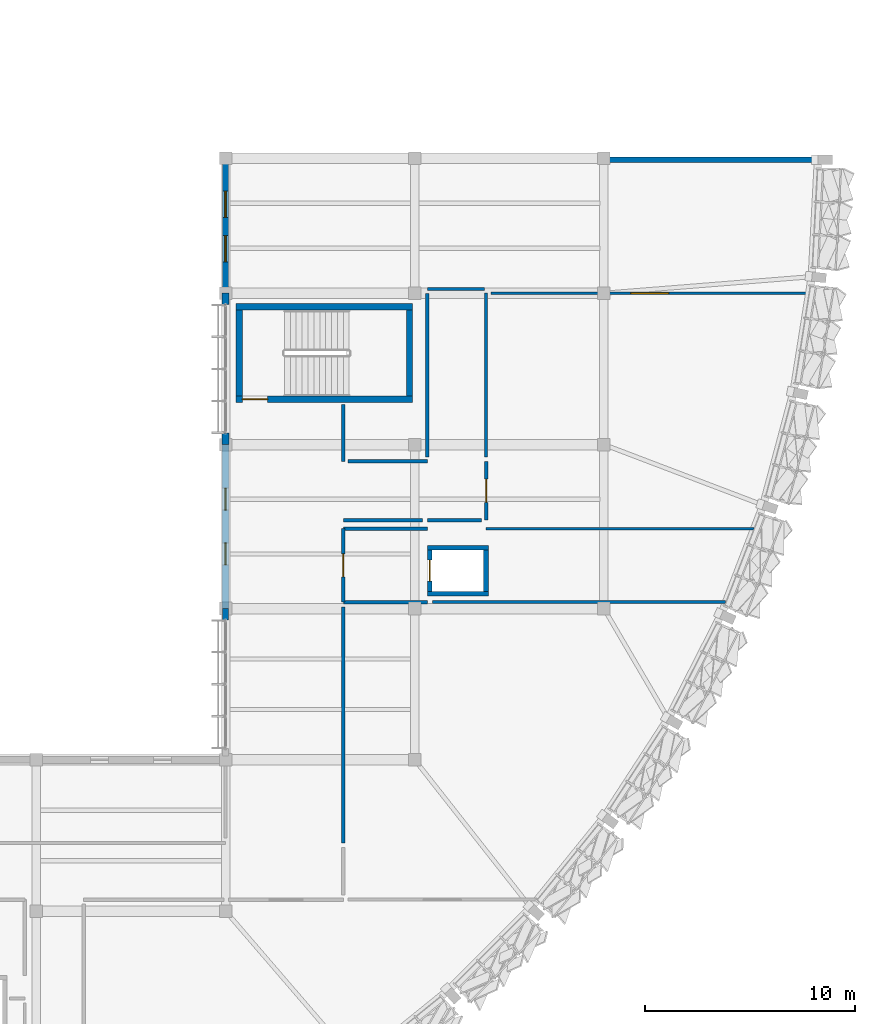
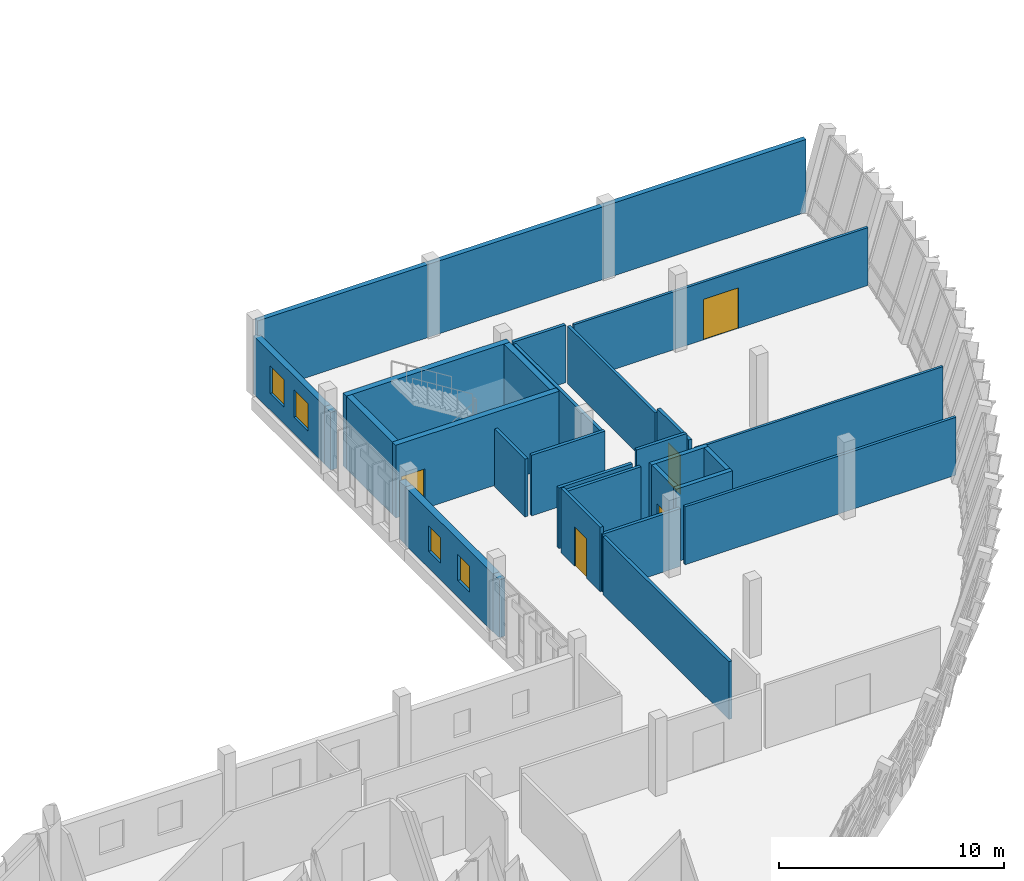
# One storey, part 97 of 107: 29 walls, 5 doors, 4 windows, 9 openings.
"""IFC4 building model written with IfcOpenShell, lengths in metres."""

from ifc_helpers import new_model, si_unit, direction, frame, frame_2d, origin, place, context, subcontext, project, spatial, rectangle, extrude, material, layer, layer_set, type_object, element, fill, save


model = new_model("IFC4")

# Units and contexts
model_context = context("Model", 3, precision=1e-05, world=origin(), true_north=direction((0.0, 1.0)))
body_context = subcontext(model_context, "Body", "Model", "MODEL_VIEW")
ifc_project = project(units=[si_unit("LENGTHUNIT", "METRE"), si_unit("AREAUNIT", "SQUARE_METRE"), si_unit("VOLUMEUNIT", "CUBIC_METRE"), si_unit("PLANEANGLEUNIT", "RADIAN"), si_unit("MASSUNIT", "GRAM", prefix="KILO")], contexts=[model_context])

# Site, building, storey
site_placement = place(None, origin())
site = spatial("IfcSite", under=ifc_project, at=site_placement, CompositionType="ELEMENT")
building_placement = place(site_placement, origin())
building = spatial("IfcBuilding", under=site, at=building_placement, Name="Chiffa Square Polytechnic", CompositionType="ELEMENT")
storey_placement = place(building_placement, frame((0.0, 0.0, 13.800048828125)))
storey = spatial("IfcBuildingStorey", under=building, at=storey_placement, Name="L03", CompositionType="ELEMENT", Elevation=13.800048828125)

# Wall, opening, door
ifc_material_1 = material(Name="Concrete C40/50", Category="concrete")
ifc_layer_1 = layer(ifc_material_1, 0.300048828125, Name="Concrete C40/50")
ifc_layer_set_1 = layer_set([ifc_layer_1], Name="Concrete C40/50")
wall_type_1 = type_object("IfcWallType", Name="WL-CORE-300", PredefinedType="SHEAR", material=ifc_layer_set_1)
wall_1_placement = place(storey_placement, frame((148.699951171875, 45.949951171875, 0.0), z_axis=(0.0, 0.0, 1.0), x_axis=(1.0, 0.0, 0.0)))
wall_1 = element("IfcWall", 1, at=wall_1_placement, inside=storey, type_object=wall_type_1, Name="Core or enclosure wall WC-CORE-V1B-L03-SOUTH", PredefinedType="SHEAR", context=body_context, shape_type="SweptSolid", body=[
    extrude(rectangle(XDim=8.400146484375, YDim=0.300048828125, at=frame_2d((4.2001953125, 0.0))), origin(), (0.0, 0.0, 1.0), 3.9599609375),
])
opening_1_placement = place(wall_1_placement, frame((0.300048828125, 0.0, 0.0)))
opening_1 = element("IfcOpeningElement", 2, at=opening_1_placement, cuts=wall_1, Name="Opening DS-L03-013", PredefinedType="OPENING", context=body_context, shape_type="SweptSolid", body=[
    extrude(rectangle(XDim=1.199951171875, YDim=2.14990234375, at=frame_2d((0.60009765625, 1.074951171875))), frame((0.0, 0.16015625, 0.0), z_axis=(0.0, -1.0, 0.0), x_axis=(1.0, 0.0, 0.0)), (0.0, 0.0, 1.0), 0.320068359375),
])
ifc_material_2 = material(Name="Fire-rated painted steel leaf", Category="steel")
door_type_1 = type_object("IfcDoorType", Name="DR-STAIR-1200", OperationType="NOTDEFINED", PredefinedType="DOOR", material=ifc_material_2)
door_1_placement = place(opening_1_placement, origin())
door_1 = element("IfcDoor", 3, at=door_1_placement, inside=storey, type_object=door_type_1, Name="Enclosure door DS-L03-013", OperationType="SINGLE_SWING_LEFT", OverallHeight=2.14990234375, OverallWidth=1.199951171875, PredefinedType="DOOR", context=body_context, shape_type="SweptSolid", body=[
    extrude(rectangle(XDim=1.199951171875, YDim=2.14990234375, at=frame_2d((0.60009765625, 1.074951171875))), frame((0.0, 0.02490234375, 0.0), z_axis=(0.0, -1.0, 0.0), x_axis=(1.0, 0.0, 0.0)), (0.0, 0.0, 1.0), 0.050048828125),
])
fill(opening_1, door_1)

# Walls
wall_2_placement = place(storey_placement, frame((148.699951171875, 50.35009765625, 0.0), z_axis=(0.0, 0.0, 1.0), x_axis=(1.0, 0.0, 0.0)))
element("IfcWall", 4, at=wall_2_placement, inside=storey, type_object=wall_type_1, Name="Core or enclosure wall WC-CORE-V1B-L03-NORTH", PredefinedType="SHEAR", context=body_context, shape_type="SweptSolid", body=[
    extrude(rectangle(XDim=8.400146484375, YDim=0.300048828125, at=frame_2d((4.2001953125, 0.0))), origin(), (0.0, 0.0, 1.0), 3.9599609375),
])
for number, where, z_axis, x_axis, name in (
    (5, (148.85009765625, 46.10009765625, 0.0), (0.0, 0.0, 1.0), (0.0, 1.0, 0.0), "Core or enclosure wall WC-CORE-V1B-L03-WEST"),
    (6, (156.949951171875, 46.10009765625, 0.0), (0.0, 0.0, 1.0), (0.0, 1.0, 0.0), "Core or enclosure wall WC-CORE-V1B-L03-EAST"),
):
    element("IfcWall", number, at=place(storey_placement, frame(where, z_axis=z_axis, x_axis=x_axis)), inside=storey, type_object=wall_type_1, Name=name, PredefinedType="SHEAR", context=body_context, shape_type="SweptSolid", body=[
        extrude(rectangle(XDim=4.099853515625, YDim=0.300048828125, at=frame_2d((2.0498046875, 0.0))), origin(), (0.0, 0.0, 1.0), 3.9599609375),
    ])

# Wall, openings, windows
ifc_material_3 = material(Name="Precast concrete C40/50", Category="concrete")
ifc_layer_2 = layer(ifc_material_3, 0.300048828125, Name="Precast concrete C40/50")
ifc_layer_set_2 = layer_set([ifc_layer_2], Name="Precast concrete C40/50")
wall_type_2 = type_object("IfcWallType", Name="WL-EXT-PC300", PredefinedType="SOLIDWALL", material=ifc_layer_set_2)
wall_3_placement = place(storey_placement, frame((148.199951171875, 57.35009765625, 0.0), z_axis=(0.0, 0.0, 1.0), x_axis=(0.0, -1.0, 0.0)))
wall_3 = element("IfcWall", 7, at=wall_3_placement, inside=storey, type_object=wall_type_2, Name="Exterior wall WE-V1-L03-0047", PredefinedType="SOLIDWALL", context=body_context, shape_type="SweptSolid", body=[
    extrude(rectangle(XDim=6.35009765625, YDim=0.300048828125, at=frame_2d((3.175048828125, 0.0))), origin(), (0.0, 0.0, 1.0), 3.14501953125),
])
opening_2_placement = place(wall_3_placement, frame((1.491943359375, 0.0, 0.89990234375)))
opening_2 = element("IfcOpeningElement", 8, at=opening_2_placement, cuts=wall_3, Name="Opening W-18", PredefinedType="OPENING", context=body_context, shape_type="SweptSolid", body=[
    extrude(rectangle(XDim=1.25, YDim=1.5, at=frame_2d((0.625, 0.75))), frame((0.0, 0.16015625, 0.0), z_axis=(0.0, -1.0, 0.0), x_axis=(1.0, 0.0, 0.0)), (0.0, 0.0, 1.0), 0.320068359375),
])
opening_3_placement = place(wall_3_placement, frame((3.60791015625, 0.0, 0.89990234375)))
opening_3 = element("IfcOpeningElement", 9, at=opening_3_placement, cuts=wall_3, Name="Opening W-18", PredefinedType="OPENING", context=body_context, shape_type="SweptSolid", body=[
    extrude(rectangle(XDim=1.25, YDim=1.5, at=frame_2d((0.625, 0.75))), frame((0.0, 0.16015625, 0.0), z_axis=(0.0, -1.0, 0.0), x_axis=(1.0, 0.0, 0.0)), (0.0, 0.0, 1.0), 0.320068359375),
])
ifc_material_4 = material(Name="Double glazing in thermally broken aluminium frame", Category="aluminium")
window_type_1 = type_object("IfcWindowType", Name="WIN-OFF-1250X1500", PartitioningType="DOUBLE_PANEL_VERTICAL", PredefinedType="WINDOW", material=ifc_material_4)
window_1_placement = place(opening_2_placement, origin())
window_1 = element("IfcWindow", 10, at=window_1_placement, inside=storey, type_object=window_type_1, Name="Facade window WN-L03-0043", OverallHeight=1.5, OverallWidth=1.25, PartitioningType="DOUBLE_PANEL_VERTICAL", PredefinedType="WINDOW", context=body_context, shape_type="SweptSolid", body=[
    extrude(rectangle(XDim=1.25, YDim=1.5, at=frame_2d((0.625, 0.75))), frame((0.0, 0.030029296875, 0.0), z_axis=(0.0, -1.0, 0.0), x_axis=(1.0, 0.0, 0.0)), (0.0, 0.0, 1.0), 0.06005859375),
])
fill(opening_2, window_1)
window_2_placement = place(opening_3_placement, origin())
window_2 = element("IfcWindow", 11, at=window_2_placement, inside=storey, type_object=window_type_1, Name="Facade window WN-L03-0044", OverallHeight=1.5, OverallWidth=1.25, PartitioningType="DOUBLE_PANEL_VERTICAL", PredefinedType="WINDOW", context=body_context, shape_type="SweptSolid", body=[
    extrude(rectangle(XDim=1.25, YDim=1.5, at=frame_2d((0.625, 0.75))), frame((0.0, 0.030029296875, 0.0), z_axis=(0.0, -1.0, 0.0), x_axis=(1.0, 0.0, 0.0)), (0.0, 0.0, 1.0), 0.06005859375),
])
fill(opening_3, window_2)

# Walls
wall_4_placement = place(storey_placement, frame((148.199951171875, 36.0, 0.0), z_axis=(0.0, 0.0, 1.0), x_axis=(0.0, -1.0, 0.0)))
element("IfcWall", 12, at=wall_4_placement, inside=storey, type_object=wall_type_2, Name="Facade column pier V1-L03-0050L", PredefinedType="SOLIDWALL", context=body_context, shape_type="SweptSolid", body=[
    extrude(rectangle(XDim=0.5400390625, YDim=0.300048828125, at=frame_2d((0.27001953125, 0.0))), origin(), (0.0, 0.0, 1.0), 3.14501953125),
])
ifc_layer_3 = layer(ifc_material_3, 0.320068359375, Name="Precast concrete C40/50")
ifc_layer_set_3 = layer_set([ifc_layer_3], Name="Precast concrete C40/50")
wall_type_3 = type_object("IfcWallType", Name="WL-EXT-PC320", PredefinedType="SOLIDWALL", material=ifc_layer_set_3)
for number, where, z_axis, x_axis, name in (
    (13, (148.199951171875, 51.0, 0.0), (0.0, 0.0, 1.0), (0.0, -1.0, 0.0), "Facade column pier V1-L03-0048L"),
    (14, (148.199951171875, 44.340087890625, 0.0), (0.0, 0.0, 1.0), (0.0, -1.0, 0.0), "Facade column pier V1-L03-0048R"),
):
    element("IfcWall", number, at=place(storey_placement, frame(where, z_axis=z_axis, x_axis=x_axis)), inside=storey, type_object=wall_type_3, Name=name, PredefinedType="SOLIDWALL", context=body_context, shape_type="SweptSolid", body=[
        extrude(rectangle(XDim=0.5400390625, YDim=0.320068359375, at=frame_2d((0.27001953125, 0.0))), origin(), (0.0, 0.0, 1.0), 3.14501953125),
    ])

# Wall, openings, windows
ifc_layer_4 = layer(ifc_material_3, 0.340087890625, Name="Precast concrete C40/50")
ifc_layer_set_4 = layer_set([ifc_layer_4], Name="Precast concrete C40/50")
wall_type_4 = type_object("IfcWallType", Name="WL-EXT-PC340", PredefinedType="SOLIDWALL", material=ifc_layer_set_4)
wall_5_placement = place(storey_placement, frame((148.199951171875, 43.800048828125, 0.0), z_axis=(0.0, 0.0, 1.0), x_axis=(0.0, -1.0, 0.0)))
wall_5 = element("IfcWall", 15, at=wall_5_placement, inside=storey, type_object=wall_type_4, Name="Exterior wall WE-V1-L03-0049", PredefinedType="SOLIDWALL", context=body_context, shape_type="SweptSolid", body=[
    extrude(rectangle(XDim=7.800048828125, YDim=0.340087890625, at=frame_2d((3.89990234375, 0.0))), origin(), (0.0, 0.0, 1.0), 3.14501953125),
])
opening_4_placement = place(wall_5_placement, frame((2.074951171875, 0.0, 0.89990234375)))
opening_4 = element("IfcOpeningElement", 16, at=opening_4_placement, cuts=wall_5, Name="Opening W-20", PredefinedType="OPENING", context=body_context, shape_type="SweptSolid", body=[
    extrude(rectangle(XDim=1.050048828125, YDim=1.39990234375, at=frame_2d((0.52490234375, 0.699951171875))), frame((0.0, 0.18017578125, 0.0), z_axis=(0.0, -1.0, 0.0), x_axis=(1.0, 0.0, 0.0)), (0.0, 0.0, 1.0), 0.360107421875),
])
opening_5_placement = place(wall_5_placement, frame((4.675048828125, 0.0, 0.89990234375)))
opening_5 = element("IfcOpeningElement", 17, at=opening_5_placement, cuts=wall_5, Name="Opening W-20", PredefinedType="OPENING", context=body_context, shape_type="SweptSolid", body=[
    extrude(rectangle(XDim=1.050048828125, YDim=1.39990234375, at=frame_2d((0.52490234375, 0.699951171875))), frame((0.0, 0.18017578125, 0.0), z_axis=(0.0, -1.0, 0.0), x_axis=(1.0, 0.0, 0.0)), (0.0, 0.0, 1.0), 0.360107421875),
])
window_type_2 = type_object("IfcWindowType", Name="WIN-OFF-1050X1400", PartitioningType="DOUBLE_PANEL_VERTICAL", PredefinedType="WINDOW", material=ifc_material_4)
window_3_placement = place(opening_4_placement, origin())
window_3 = element("IfcWindow", 18, at=window_3_placement, inside=storey, type_object=window_type_2, Name="Facade window WN-L03-0045", OverallHeight=1.39990234375, OverallWidth=1.050048828125, PartitioningType="DOUBLE_PANEL_VERTICAL", PredefinedType="WINDOW", context=body_context, shape_type="SweptSolid", body=[
    extrude(rectangle(XDim=1.050048828125, YDim=1.39990234375, at=frame_2d((0.52490234375, 0.699951171875))), frame((0.0, 0.030029296875, 0.0), z_axis=(0.0, -1.0, 0.0), x_axis=(1.0, 0.0, 0.0)), (0.0, 0.0, 1.0), 0.06005859375),
])
fill(opening_4, window_3)
window_4_placement = place(opening_5_placement, origin())
window_4 = element("IfcWindow", 19, at=window_4_placement, inside=storey, type_object=window_type_2, Name="Facade window WN-L03-0046", OverallHeight=1.39990234375, OverallWidth=1.050048828125, PartitioningType="DOUBLE_PANEL_VERTICAL", PredefinedType="WINDOW", context=body_context, shape_type="SweptSolid", body=[
    extrude(rectangle(XDim=1.050048828125, YDim=1.39990234375, at=frame_2d((0.52490234375, 0.699951171875))), frame((0.0, 0.030029296875, 0.0), z_axis=(0.0, -1.0, 0.0), x_axis=(1.0, 0.0, 0.0)), (0.0, 0.0, 1.0), 0.06005859375),
])
fill(opening_5, window_4)

# Wall
ifc_material_5 = material(Name="Gypsum board on steel stud", Category="steel")
ifc_layer_5 = layer(ifc_material_5, 0.125, Name="Gypsum board on steel stud")
ifc_layer_set_5 = layer_set([ifc_layer_5], Name="Gypsum board on steel stud")
wall_type_5 = type_object("IfcWallType", Name="WL-PART-125", PredefinedType="PARTITIONING", material=ifc_layer_set_5)
wall_6_placement = place(storey_placement, frame((160.60009765625, 39.800048828125, 0.0), z_axis=(0.0, 0.0, 1.0), x_axis=(1.0, 0.0, 0.0)))
element("IfcWall", 20, at=wall_6_placement, inside=storey, type_object=wall_type_5, Name="Interior partition WP-V1-L03-0539", PredefinedType="PARTITIONING", context=body_context, shape_type="SweptSolid", body=[
    extrude(rectangle(XDim=12.73583984375, YDim=0.125, at=frame_2d((6.367919921875, 0.0))), origin(), (0.0, 0.0, 1.0), 3.294921875),
])

# Wall, opening, door
ifc_layer_6 = layer(ifc_material_5, 0.135009765625, Name="Gypsum board on steel stud")
ifc_layer_set_6 = layer_set([ifc_layer_6], Name="Gypsum board on steel stud")
wall_type_6 = type_object("IfcWallType", Name="WL-PART-135", PredefinedType="PARTITIONING", material=ifc_layer_set_6)
wall_7_placement = place(storey_placement, frame((160.820068359375, 51.0, 0.0), z_axis=(0.0, 0.0, 1.0), x_axis=(1.0, 0.0, 0.0)))
wall_7 = element("IfcWall", 21, at=wall_7_placement, inside=storey, type_object=wall_type_6, Name="Interior partition WP-V1-L03-0538", PredefinedType="PARTITIONING", context=body_context, shape_type="SweptSolid", body=[
    extrude(rectangle(XDim=15.117919921875, YDim=0.135009765625, at=frame_2d((7.55908203125, 0.0))), origin(), (0.0, 0.0, 1.0), 3.14501953125),
])
opening_6_placement = place(wall_7_placement, frame((6.658935546875, 0.0, 0.0)))
opening_6 = element("IfcOpeningElement", 22, at=opening_6_placement, cuts=wall_7, Name="Opening DI-L03-202", PredefinedType="OPENING", context=body_context, shape_type="SweptSolid", body=[
    extrude(rectangle(XDim=1.800048828125, YDim=2.199951171875, at=frame_2d((0.89990234375, 1.10009765625))), frame((0.0, 0.07763671875, 0.0), z_axis=(0.0, -1.0, 0.0), x_axis=(1.0, 0.0, 0.0)), (0.0, 0.0, 1.0), 0.155029296875),
])
ifc_material_6 = material(Name="Solid oak fire door pair")
door_type_2 = type_object("IfcDoorType", Name="DR-CORR-DBL-1800", OperationType="DOUBLE_DOOR_SINGLE_SWING", PredefinedType="DOOR", material=ifc_material_6)
door_2_placement = place(opening_6_placement, origin())
door_2 = element("IfcDoor", 23, at=door_2_placement, inside=storey, type_object=door_type_2, Name="Interior room door DI-L03-202", OperationType="DOUBLE_DOOR_SINGLE_SWING", OverallHeight=2.199951171875, OverallWidth=1.800048828125, PredefinedType="DOOR", context=body_context, shape_type="SweptSolid", body=[
    extrude(rectangle(XDim=1.800048828125, YDim=2.199951171875, at=frame_2d((0.89990234375, 1.10009765625))), frame((0.0, 0.02490234375, 0.0), z_axis=(0.0, -1.0, 0.0), x_axis=(1.0, 0.0, 0.0)), (0.0, 0.0, 1.0), 0.050048828125),
])
fill(opening_6, door_2)

# Walls
ifc_layer_7 = layer(ifc_material_5, 0.14501953125, Name="Gypsum board on steel stud")
ifc_layer_set_7 = layer_set([ifc_layer_7], Name="Gypsum board on steel stud")
wall_type_7 = type_object("IfcWallType", Name="WL-PART-145", PredefinedType="PARTITIONING", material=ifc_layer_set_7)
wall_8_placement = place(storey_placement, frame((160.60009765625, 43.219970703125, 0.0), z_axis=(0.0, 0.0, 1.0), x_axis=(0.0, 1.0, 0.0)))
element("IfcWall", 24, at=wall_8_placement, inside=storey, type_object=wall_type_7, Name="Interior partition WP-V1-L03-0537", PredefinedType="PARTITIONING", context=body_context, shape_type="SweptSolid", body=[
    extrude(rectangle(XDim=7.780029296875, YDim=0.14501953125, at=frame_2d((3.89013671875, 0.0))), origin(), (0.0, 0.0, 1.0), 3.14501953125),
])
wall_9_placement = place(storey_placement, frame((158.0400390625, 36.300048828125, 0.0), z_axis=(0.0, 0.0, 1.0), x_axis=(1.0, 0.0, 0.0)))
element("IfcWall", 25, at=wall_9_placement, inside=storey, type_object=wall_type_7, Name="Interior partition WP-V1-L03-0558", PredefinedType="PARTITIONING", context=body_context, shape_type="SweptSolid", body=[
    extrude(rectangle(XDim=13.93701171875, YDim=0.14501953125, at=frame_2d((6.968505859375, 0.0))), origin(), (0.0, 0.0, 1.0), 3.14501953125),
])
ifc_material_7 = material(Name="Gypsum board on acoustic steel stud", Category="steel")
ifc_layer_8 = layer(ifc_material_7, 0.159912109375, Name="Gypsum board on acoustic steel stud")
ifc_layer_set_8 = layer_set([ifc_layer_8], Name="Gypsum board on acoustic steel stud")
wall_type_8 = type_object("IfcWallType", Name="WL-PART-EI60-160", PredefinedType="PARTITIONING", material=ifc_layer_set_8)
wall_10_placement = place(storey_placement, frame((153.800048828125, 36.300048828125, 0.0), z_axis=(0.0, 0.0, 1.0), x_axis=(1.0, 0.0, 0.0)))
element("IfcWall", 26, at=wall_10_placement, inside=storey, type_object=wall_type_8, Name="Lift lobby rated enclosure WP-LOB-LP-V1B-L03-SOUTH", PredefinedType="PARTITIONING", context=body_context, shape_type="SweptSolid", body=[
    extrude(rectangle(XDim=4.0, YDim=0.159912109375, at=frame_2d((2.0, 0.0))), origin(), (0.0, 0.0, 1.0), 3.14501953125),
])
wall_11_placement = place(storey_placement, frame((153.800048828125, 39.800048828125, 0.0), z_axis=(0.0, 0.0, 1.0), x_axis=(1.0, 0.0, 0.0)))
element("IfcWall", 27, at=wall_11_placement, inside=storey, type_object=wall_type_8, Name="Lift lobby rated enclosure WP-LOB-LP-V1B-L03-NORTH", PredefinedType="PARTITIONING", context=body_context, shape_type="SweptSolid", body=[
    extrude(rectangle(XDim=4.0, YDim=0.159912109375, at=frame_2d((2.0, 0.0))), origin(), (0.0, 0.0, 1.0), 3.294921875),
])

# Wall, opening, door
wall_12_placement = place(storey_placement, frame((153.800048828125, 36.300048828125, 0.0), z_axis=(0.0, 0.0, 1.0), x_axis=(0.0, 1.0, 0.0)))
wall_12 = element("IfcWall", 28, at=wall_12_placement, inside=storey, type_object=wall_type_8, Name="Lift lobby rated enclosure WP-LOB-LP-V1B-L03-WEST", PredefinedType="PARTITIONING", context=body_context, shape_type="SweptSolid", body=[
    extrude(rectangle(XDim=3.5, YDim=0.159912109375, at=frame_2d((1.75, 0.0))), origin(), (0.0, 0.0, 1.0), 3.5048828125),
])
opening_7_placement = place(wall_12_placement, frame((1.199951171875, 0.0, 0.0)))
opening_7 = element("IfcOpeningElement", 29, at=opening_7_placement, cuts=wall_12, Name="Opening DI-L03-021", PredefinedType="OPENING", context=body_context, shape_type="SweptSolid", body=[
    extrude(rectangle(XDim=1.10009765625, YDim=2.14990234375, at=frame_2d((0.550048828125, 1.074951171875))), frame((0.0, 0.08984375, 0.0), z_axis=(0.0, -1.0, 0.0), x_axis=(1.0, 0.0, 0.0)), (0.0, 0.0, 1.0), 0.179931640625),
])
ifc_material_8 = material(Name="Solid core ash veneer door")
door_type_3 = type_object("IfcDoorType", Name="DR-INT-1100", OperationType="NOTDEFINED", PredefinedType="DOOR", material=ifc_material_8)
door_3_placement = place(opening_7_placement, origin())
door_3 = element("IfcDoor", 30, at=door_3_placement, inside=storey, type_object=door_type_3, Name="Lift lobby fire door DI-L03-021", OperationType="SINGLE_SWING_RIGHT", OverallHeight=2.14990234375, OverallWidth=1.10009765625, PredefinedType="DOOR", context=body_context, shape_type="SweptSolid", body=[
    extrude(rectangle(XDim=1.10009765625, YDim=2.14990234375, at=frame_2d((0.550048828125, 1.074951171875))), frame((0.0, 0.02490234375, 0.0), z_axis=(0.0, -1.0, 0.0), x_axis=(1.0, 0.0, 0.0)), (0.0, 0.0, 1.0), 0.050048828125),
])
fill(opening_7, door_3)

wall_13_placement = place(storey_placement, frame((160.60009765625, 40.199951171875, 0.0), z_axis=(0.0, 0.0, 1.0), x_axis=(0.0, 1.0, 0.0)))
wall_13 = element("IfcWall", 31, at=wall_13_placement, inside=storey, type_object=wall_type_8, Name="Interior partition WP-V1-L03-0536", PredefinedType="PARTITIONING", context=body_context, shape_type="SweptSolid", body=[
    extrude(rectangle(XDim=2.800048828125, YDim=0.159912109375, at=frame_2d((1.39990234375, 0.0))), origin(), (0.0, 0.0, 1.0), 3.5048828125),
])
opening_8_placement = place(wall_13_placement, frame((0.85009765625, 0.0, 0.0)))
opening_8 = element("IfcOpeningElement", 32, at=opening_8_placement, cuts=wall_13, Name="Opening DI-L03-201", PredefinedType="OPENING", context=body_context, shape_type="SweptSolid", body=[
    extrude(rectangle(XDim=1.10009765625, YDim=2.14990234375, at=frame_2d((0.550048828125, 1.074951171875))), frame((0.0, 0.08984375, 0.0), z_axis=(0.0, -1.0, 0.0), x_axis=(1.0, 0.0, 0.0)), (0.0, 0.0, 1.0), 0.179931640625),
])
door_4_placement = place(opening_8_placement, origin())
door_4 = element("IfcDoor", 33, at=door_4_placement, inside=storey, type_object=door_type_3, Name="Interior room door DI-L03-201", OperationType="SINGLE_SWING_RIGHT", OverallHeight=2.14990234375, OverallWidth=1.10009765625, PredefinedType="DOOR", context=body_context, shape_type="SweptSolid", body=[
    extrude(rectangle(XDim=1.10009765625, YDim=2.14990234375, at=frame_2d((0.550048828125, 1.074951171875))), frame((0.0, 0.02490234375, 0.0), z_axis=(0.0, -1.0, 0.0), x_axis=(1.0, 0.0, 0.0)), (0.0, 0.0, 1.0), 0.050048828125),
])
fill(opening_8, door_4)

# Walls
wall_14_placement = place(storey_placement, frame((157.800048828125, 51.199951171875, 0.0), z_axis=(0.0, 0.0, 1.0), x_axis=(1.0, 0.0, 0.0)))
element("IfcWall", 34, at=wall_14_placement, inside=storey, type_object=wall_type_8, Name="Interior partition WP-V1-L03-0555", PredefinedType="PARTITIONING", context=body_context, shape_type="SweptSolid", body=[
    extrude(rectangle(XDim=2.708984375, YDim=0.159912109375, at=frame_2d((1.3544921875, 0.0))), origin(), (0.0, 0.0, 1.0), 3.14501953125),
])
wall_15_placement = place(storey_placement, frame((153.800048828125, 24.85009765625, 0.0), z_axis=(0.0, 0.0, 1.0), x_axis=(0.0, 1.0, 0.0)))
element("IfcWall", 35, at=wall_15_placement, inside=storey, type_object=wall_type_8, Name="Interior partition WP-V1-L03-0556", PredefinedType="PARTITIONING", context=body_context, shape_type="SweptSolid", body=[
    extrude(rectangle(XDim=11.2099609375, YDim=0.159912109375, at=frame_2d((5.60498046875, 0.0))), origin(), (0.0, 0.0, 1.0), 3.14501953125),
])
wall_16_placement = place(storey_placement, frame((153.800048828125, 43.0, 0.0), z_axis=(0.0, 0.0, 1.0), x_axis=(0.0, 1.0, 0.0)))
element("IfcWall", 36, at=wall_16_placement, inside=storey, type_object=wall_type_8, Name="Interior partition WP-V1-L03-0587", PredefinedType="PARTITIONING", context=body_context, shape_type="SweptSolid", body=[
    extrude(rectangle(XDim=2.7099609375, YDim=0.159912109375, at=frame_2d((1.35498046875, 0.0))), origin(), (0.0, 0.0, 1.0), 3.14501953125),
])
wall_17_placement = place(storey_placement, frame((154.02001953125, 43.0, 0.0), z_axis=(0.0, 0.0, 1.0), x_axis=(1.0, 0.0, 0.0)))
element("IfcWall", 37, at=wall_17_placement, inside=storey, type_object=wall_type_8, Name="Interior partition WP-V1-L03-0588", PredefinedType="PARTITIONING", context=body_context, shape_type="SweptSolid", body=[
    extrude(rectangle(XDim=3.780029296875, YDim=0.159912109375, at=frame_2d((1.89013671875, 0.0))), origin(), (0.0, 0.0, 1.0), 3.294921875),
])
wall_18_placement = place(storey_placement, frame((157.800048828125, 43.219970703125, 0.0), z_axis=(0.0, 0.0, 1.0), x_axis=(0.0, 1.0, 0.0)))
element("IfcWall", 38, at=wall_18_placement, inside=storey, type_object=wall_type_8, Name="Interior partition WP-V1-L03-0589", PredefinedType="PARTITIONING", context=body_context, shape_type="SweptSolid", body=[
    extrude(rectangle(XDim=7.760009765625, YDim=0.159912109375, at=frame_2d((3.8798828125, 0.0))), origin(), (0.0, 0.0, 1.0), 3.14501953125),
])
wall_19_placement = place(storey_placement, frame((157.800048828125, 40.199951171875, 0.0), z_axis=(0.0, 0.0, 1.0), x_axis=(1.0, 0.0, 0.0)))
element("IfcWall", 39, at=wall_19_placement, inside=storey, type_object=wall_type_8, Name="Interior partition WP-V1-L03-0590", PredefinedType="PARTITIONING", context=body_context, shape_type="SweptSolid", body=[
    extrude(rectangle(XDim=2.579833984375, YDim=0.159912109375, at=frame_2d((1.2900390625, 0.0))), origin(), (0.0, 0.0, 1.0), 3.9599609375),
])
wall_20_placement = place(storey_placement, frame((153.800048828125, 40.199951171875, 0.0), z_axis=(0.0, 0.0, 1.0), x_axis=(1.0, 0.0, 0.0)))
element("IfcWall", 40, at=wall_20_placement, inside=storey, type_object=wall_type_8, Name="Interior partition WP-V1-L03-0591", PredefinedType="PARTITIONING", context=body_context, shape_type="SweptSolid", body=[
    extrude(rectangle(XDim=3.780029296875, YDim=0.159912109375, at=frame_2d((1.89013671875, 0.0))), origin(), (0.0, 0.0, 1.0), 3.294921875),
])
ifc_material_9 = material(Name="Concrete C35/45", Category="concrete")
ifc_layer_9 = layer(ifc_material_9, 0.219970703125, Name="Concrete C35/45")
ifc_layer_set_9 = layer_set([ifc_layer_9], Name="Concrete C35/45")
wall_type_9 = type_object("IfcWallType", Name="WL-SHAFT-220", PredefinedType="SHEAR", material=ifc_layer_set_9)
for number, where, z_axis, x_axis, name in (
    (41, (157.800048828125, 36.7099609375, 0.0), (0.0, 0.0, 1.0), (1.0, 0.0, 0.0), "Core or enclosure wall WS-LP-V1B-L03-SOUTH"),
    (42, (157.800048828125, 38.889892578125, 0.0), (0.0, 0.0, 1.0), (1.0, 0.0, 0.0), "Core or enclosure wall WS-LP-V1B-L03-NORTH"),
):
    element("IfcWall", number, at=place(storey_placement, frame(where, z_axis=z_axis, x_axis=x_axis)), inside=storey, type_object=wall_type_9, Name=name, PredefinedType="SHEAR", context=body_context, shape_type="SweptSolid", body=[
        extrude(rectangle(XDim=2.89990234375, YDim=0.219970703125, at=frame_2d((1.449951171875, 0.0))), origin(), (0.0, 0.0, 1.0), 3.9599609375),
    ])

# Wall, opening, door
wall_21_placement = place(storey_placement, frame((157.909912109375, 36.820068359375, 0.0), z_axis=(0.0, 0.0, 1.0), x_axis=(0.0, 1.0, 0.0)))
wall_21 = element("IfcWall", 43, at=wall_21_placement, inside=storey, type_object=wall_type_9, Name="Core or enclosure wall WS-LP-V1B-L03-WEST", PredefinedType="SHEAR", context=body_context, shape_type="SweptSolid", body=[
    extrude(rectangle(XDim=1.9599609375, YDim=0.219970703125, at=frame_2d((0.97998046875, 0.0))), origin(), (0.0, 0.0, 1.0), 3.9599609375),
])
opening_9_placement = place(wall_21_placement, frame((0.47998046875, 0.0, 0.0)))
opening_9 = element("IfcOpeningElement", 44, at=opening_9_placement, cuts=wall_21, Name="Opening LD-LP-V1B-L03", PredefinedType="OPENING", context=body_context, shape_type="SweptSolid", body=[
    extrude(rectangle(XDim=1.0, YDim=2.14990234375, at=frame_2d((0.5, 1.074951171875))), frame((0.0, 0.1201171875, 0.0), z_axis=(0.0, -1.0, 0.0), x_axis=(1.0, 0.0, 0.0)), (0.0, 0.0, 1.0), 0.239990234375),
])
ifc_material_10 = material(Name="Brushed stainless steel sliding landing door", Category="steel")
door_type_4 = type_object("IfcDoorType", Name="DR-LIFT-1000", OperationType="SLIDING_TO_RIGHT", PredefinedType="DOOR", material=ifc_material_10)
door_5_placement = place(opening_9_placement, origin())
door_5 = element("IfcDoor", 45, at=door_5_placement, inside=storey, type_object=door_type_4, Name="Enclosure door LD-LP-V1B-L03", OperationType="SLIDING_TO_LEFT", OverallHeight=2.14990234375, OverallWidth=1.0, PredefinedType="DOOR", context=body_context, shape_type="SweptSolid", body=[
    extrude(rectangle(XDim=1.0, YDim=2.14990234375, at=frame_2d((0.5, 1.074951171875))), frame((0.0, 0.02490234375, 0.0), z_axis=(0.0, -1.0, 0.0), x_axis=(1.0, 0.0, 0.0)), (0.0, 0.0, 1.0), 0.050048828125),
])
fill(opening_9, door_5)

# Walls
wall_22_placement = place(storey_placement, frame((160.590087890625, 36.820068359375, 0.0), z_axis=(0.0, 0.0, 1.0), x_axis=(0.0, 1.0, 0.0)))
element("IfcWall", 46, at=wall_22_placement, inside=storey, type_object=wall_type_9, Name="Core or enclosure wall WS-LP-V1B-L03-EAST", PredefinedType="SHEAR", context=body_context, shape_type="SweptSolid", body=[
    extrude(rectangle(XDim=1.9599609375, YDim=0.219970703125, at=frame_2d((0.97998046875, 0.0))), origin(), (0.0, 0.0, 1.0), 3.9599609375),
])
ifc_layer_10 = layer(ifc_material_9, 0.25, Name="Concrete C35/45")
ifc_layer_set_10 = layer_set([ifc_layer_10], Name="Concrete C35/45")
wall_type_10 = type_object("IfcWallType", Name="WL-SJ-250", PredefinedType="SHEAR", material=ifc_layer_set_10)
wall_23_placement = place(storey_placement, frame((176.387939453125, 57.35009765625, 0.0), z_axis=(0.0, 0.0, 1.0), x_axis=(-1.0, 0.0, 0.0)))
element("IfcWall", 47, at=wall_23_placement, inside=storey, type_object=wall_type_10, Name="Seismic-joint fire wall WE-V1-L03-0046", PredefinedType="SHEAR", context=body_context, shape_type="SweptSolid", body=[
    extrude(rectangle(XDim=28.18798828125, YDim=0.25, at=frame_2d((14.093994140625, 0.0))), origin(), (0.0, 0.0, 1.0), 3.9599609375),
])

save(model, "model.ifc")
